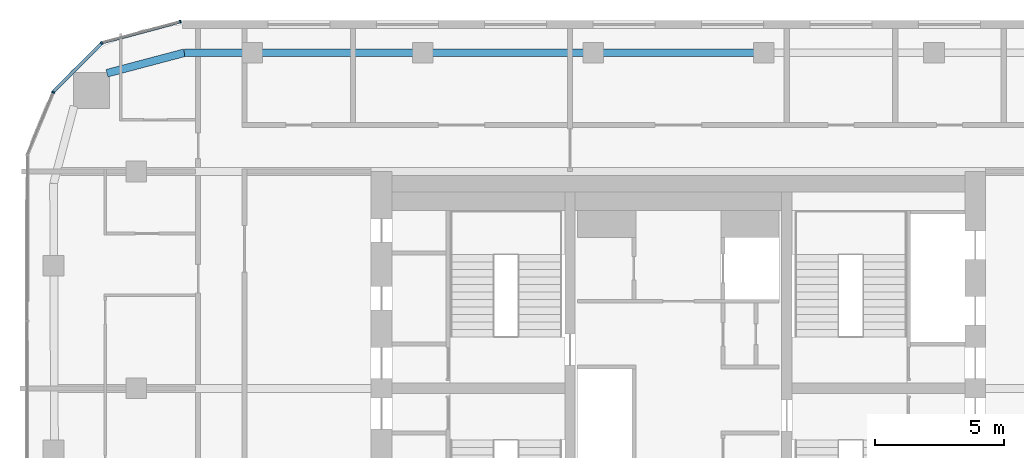
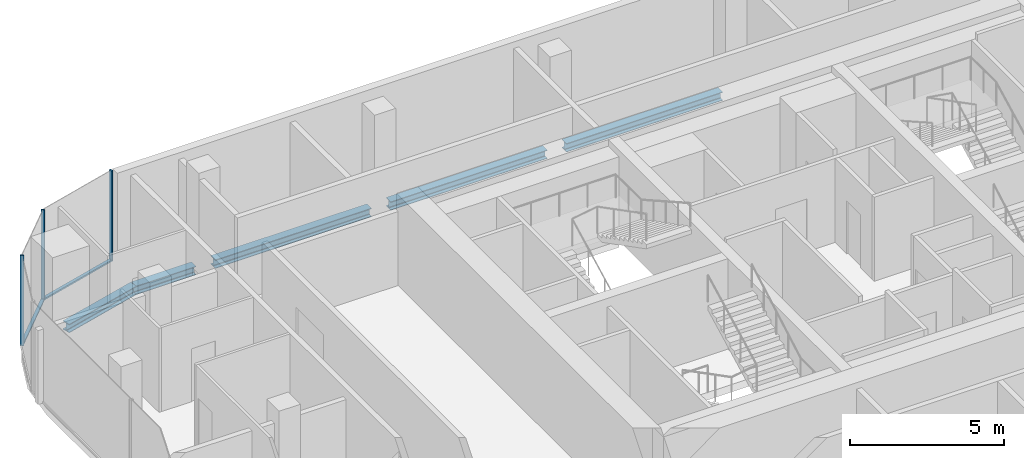
# One storey, part 10 of 21: 5 beams, 5 members, 3 elements without a shape of their own.
"""IFC4 building model written with IfcOpenShell, lengths in metres."""

from ifc_helpers import new_model, si_unit, direction, frame, origin, origin_2d, place, context, subcontext, project, spatial, rectangle, i_section, extrude, material, layer, layer_set, material_profile, profile_set, type_object, element, aggregate, save


model = new_model("IFC4")

# Units and contexts
model_context = context("Model", 3, precision=1e-05, world=origin(), true_north=direction((0.0, 1.0)))
body_context = subcontext(model_context, "Body", "Model", "MODEL_VIEW")
ifc_project = project(units=[si_unit("LENGTHUNIT", "METRE"), si_unit("AREAUNIT", "SQUARE_METRE"), si_unit("VOLUMEUNIT", "CUBIC_METRE"), si_unit("PLANEANGLEUNIT", "RADIAN"), si_unit("MASSUNIT", "GRAM", prefix="KILO")], contexts=[model_context])

# Site, building, storey
site_placement = place(None, origin())
site = spatial("IfcSite", under=ifc_project, at=site_placement, CompositionType="ELEMENT")
building_placement = place(site_placement, origin())
building = spatial("IfcBuilding", under=site, at=building_placement, Name="Marenta Gate Hotel Tower", CompositionType="ELEMENT")
storey_placement = place(building_placement, frame((0.0, 0.0, 245.300048828125)))
storey = spatial("IfcBuildingStorey", under=building, at=storey_placement, Name="L58", CompositionType="ELEMENT", Elevation=245.300048828125)

# Beams
ifc_material_1 = material(Name="Steel S355", Category="steel")
ifc_material_profile_1 = material_profile(ifc_material_1, i_section(OverallWidth=0.300048828125, OverallDepth=0.340087890625, WebThickness=0.011962890625, FlangeThickness=0.021484375, FilletRadius=0.027099609375, at=origin_2d()), Name="HEB 340")
ifc_profile_set_1 = profile_set([ifc_material_profile_1], Name="Steel S355")
beam_type = type_object("IfcBeamType", Name="Edge beam HEB 340", PredefinedType="SPANDREL", material=ifc_profile_set_1)
beam_1_placement = place(storey_placement, frame((-22.132080078125, 20.607177734375, -0.429931640625), z_axis=(0.9667647815, 0.25566747398, 0.0), x_axis=(-0.25566747398, 0.9667647815, 0.0)))
element("IfcBeam", 1, at=beam_1_placement, inside=storey, type_object=beam_type, Name="L58-EB-12", PredefinedType="SPANDREL", context=body_context, shape_type="SweptSolid", body=[
    extrude(i_section(OverallWidth=0.300048828125, OverallDepth=0.340087890625, WebThickness=0.011962890625, FlangeThickness=0.021484375, FilletRadius=0.027099609375, at=origin_2d()), origin(), (0.0, 0.0, 1.0), 3.1005859375),
])
beam_2_placement = place(storey_placement, frame((-19.134521484375, 21.39990234375, -0.429931640625), z_axis=(1.0, 0.0, 0.0), x_axis=(0.0, 1.0, 0.0)))
element("IfcBeam", 2, at=beam_2_placement, inside=storey, type_object=beam_type, Name="L58-EB-13", PredefinedType="SPANDREL", context=body_context, shape_type="SweptSolid", body=[
    extrude(i_section(OverallWidth=0.300048828125, OverallDepth=0.340087890625, WebThickness=0.011962890625, FlangeThickness=0.021484375, FilletRadius=0.027099609375, at=origin_2d()), origin(), (0.0, 0.0, 1.0), 2.267578125),
])
for number, where, z_axis, x_axis, name in (
    (3, (-16.14697265625, 21.39990234375, -0.429931640625), (1.0, 0.0, 0.0), (0.0, 1.0, 0.0), "L58-EB-14"),
    (4, (-9.544189453125, 21.39990234375, -0.429931640625), (1.0, 0.0, 0.0), (0.0, 1.0, 0.0), "L58-EB-15"),
    (5, (-2.94140625, 21.39990234375, -0.429931640625), (1.0, 0.0, 0.0), (0.0, 1.0, 0.0), "L58-EB-16"),
):
    element("IfcBeam", number, at=place(storey_placement, frame(where, z_axis=z_axis, x_axis=x_axis)), inside=storey, type_object=beam_type, Name=name, PredefinedType="SPANDREL", context=body_context, shape_type="SweptSolid", body=[
        extrude(i_section(OverallWidth=0.300048828125, OverallDepth=0.340087890625, WebThickness=0.011962890625, FlangeThickness=0.021484375, FilletRadius=0.027099609375, at=origin_2d()), origin(), (0.0, 0.0, 1.0), 5.8828125),
    ])

# Curtain wall, member
ifc_material_2 = material(Name="Tinted insulated glass in bronze anodised frame", Category="glass")
ifc_layer = layer(ifc_material_2, 0.1201171875)
ifc_layer_set = layer_set([ifc_layer], Name="Tinted insulated glass in bronze anodised frame")
curtain_wall_type = type_object("IfcCurtainWallType", Name="Tower unitised curtain wall CW1", PredefinedType="NOTDEFINED", material=ifc_layer_set)
curtain_wall_1_placement = place(storey_placement, origin())
curtain_wall_1 = element("IfcCurtainWall", 6, at=curtain_wall_1_placement, inside=storey, type_object=curtain_wall_type, Name="CW1 run G00", PredefinedType="NOTDEFINED")
ifc_material_3 = material(Name="Bronze anodised aluminium", Category="aluminium")
ifc_material_profile_2 = material_profile(ifc_material_3, rectangle(XDim=0.1201171875, YDim=0.06005859375, at=origin_2d()), Name="Mullion CW1 60x120 bronze anodised aluminium")
ifc_profile_set_2 = profile_set([ifc_material_profile_2], Name="Bronze anodised aluminium")
member_type_1 = type_object("IfcMemberType", Name="Mullion CW1 60x120 bronze anodised aluminium", PredefinedType="MULLION", material=ifc_profile_set_2)
member_1_placement = place(storey_placement, frame((-19.285400390625, 22.603271484375, 0.0), z_axis=(0.0, 0.0, 1.0), x_axis=(0.258801379183, -0.965930559685, 0.0)))
member_1 = element("IfcMember", 7, at=member_1_placement, type_object=member_type_1, Name="CW1 mullion 1", PredefinedType="MULLION", context=body_context, shape_type="SweptSolid", body=[
    extrude(rectangle(XDim=0.1201171875, YDim=0.06005859375, at=origin_2d()), origin(), (0.0, 0.0, 1.0), 3.599853515625),
])

curtain_wall_2_placement = place(storey_placement, origin())
curtain_wall_2 = element("IfcCurtainWall", 8, at=curtain_wall_2_placement, inside=storey, type_object=curtain_wall_type, Name="CW1 run G01", PredefinedType="NOTDEFINED")
member_2_placement = place(storey_placement, frame((-22.334228515625, 21.77099609375, 0.0), z_axis=(0.0, 0.0, 1.0), x_axis=(0.707106781187, -0.707106781187, 0.0)))
member_2 = element("IfcMember", 9, at=member_2_placement, type_object=member_type_1, Name="CW1 mullion 1", PredefinedType="MULLION", context=body_context, shape_type="SweptSolid", body=[
    extrude(rectangle(XDim=0.1201171875, YDim=0.06005859375, at=origin_2d()), origin(), (0.0, 0.0, 1.0), 3.599853515625),
])

curtain_wall_3_placement = place(storey_placement, origin())
curtain_wall_3 = element("IfcCurtainWall", 10, at=curtain_wall_3_placement, inside=storey, type_object=curtain_wall_type, Name="CW1 run G02", PredefinedType="NOTDEFINED")
member_3_placement = place(storey_placement, frame((-24.215087890625, 19.87353515625, 0.0), z_axis=(0.0, 0.0, 1.0), x_axis=(0.923886433266, -0.382666772044, 0.0)))
member_3 = element("IfcMember", 11, at=member_3_placement, type_object=member_type_1, Name="CW1 mullion 1", PredefinedType="MULLION", context=body_context, shape_type="SweptSolid", body=[
    extrude(rectangle(XDim=0.1201171875, YDim=0.06005859375, at=origin_2d()), origin(), (0.0, 0.0, 1.0), 3.599853515625),
])
aggregate(curtain_wall_3, [member_3])

# Member
ifc_material_4 = material(Name="Bronze anodised aluminium", Category="aluminium")
ifc_material_profile_3 = material_profile(ifc_material_4, rectangle(XDim=0.1201171875, YDim=0.06005859375, at=origin_2d()), Name="Transom CW1 60x120 bronze anodised aluminium")
ifc_profile_set_3 = profile_set([ifc_material_profile_3], Name="Bronze anodised aluminium")
member_type_2 = type_object("IfcMemberType", Name="Transom CW1 60x120 bronze anodised aluminium", PredefinedType="USERDEFINED", material=ifc_profile_set_3)
member_4_placement = place(storey_placement, frame((-19.314453125, 22.595458984375, 0.030029296875), z_axis=(-0.965924882171, -0.258822568574, 0.0), x_axis=(0.258822568574, -0.965924882171, 0.0)))
member_4 = element("IfcMember", 12, at=member_4_placement, type_object=member_type_2, Name="CW1 transom 1.1", ObjectType="TRANSOM", PredefinedType="USERDEFINED", context=body_context, shape_type="SweptSolid", body=[
    extrude(rectangle(XDim=0.1201171875, YDim=0.06005859375, at=origin_2d()), origin(), (0.0, 0.0, 1.0), 3.104248046875),
])

aggregate(curtain_wall_1, [member_1, member_4])

member_5_placement = place(storey_placement, frame((-22.355224609375, 21.749755859375, 0.030029296875), z_axis=(-0.707106781187, -0.707106781187, 0.0), x_axis=(0.707106781187, -0.707106781187, 0.0)))
member_5 = element("IfcMember", 13, at=member_5_placement, type_object=member_type_2, Name="CW1 transom 1.1", ObjectType="TRANSOM", PredefinedType="USERDEFINED", context=body_context, shape_type="SweptSolid", body=[
    extrude(rectangle(XDim=0.1201171875, YDim=0.06005859375, at=origin_2d()), origin(), (0.0, 0.0, 1.0), 2.614013671875),
])

aggregate(curtain_wall_2, [member_2, member_5])

save(model, "model.ifc")
